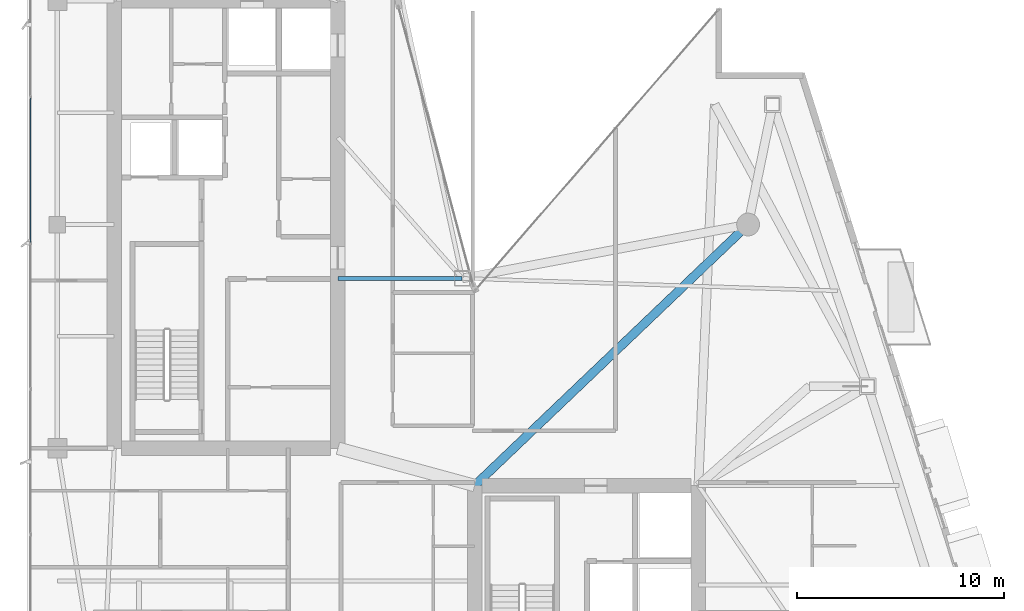
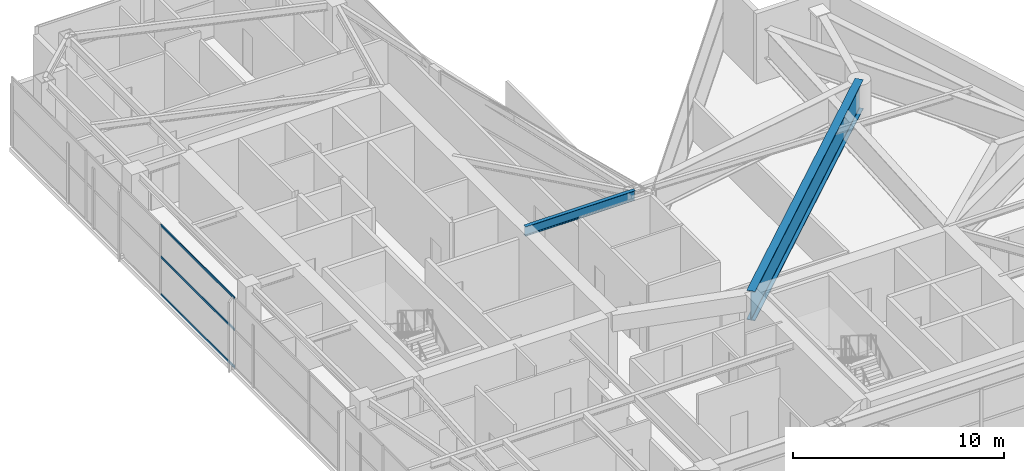
# One storey, part 10 of 29: 3 members, 2 beams, 1 element without a shape of its own.
"""IFC4 building model written with IfcOpenShell, lengths in metres."""

from ifc_helpers import new_model, si_unit, direction, frame, origin, origin_2d, place, context, subcontext, project, spatial, hollow_rectangle, i_section, extrude, material, layer, layer_set, material_profile, profile_set, type_object, element, aggregate, save


model = new_model("IFC4")

# Units and contexts
model_context = context("Model", 3, precision=1e-05, world=origin(), true_north=direction((0.0, 1.0)))
body_context = subcontext(model_context, "Body", "Model", "MODEL_VIEW")
ifc_project = project(units=[si_unit("LENGTHUNIT", "METRE"), si_unit("AREAUNIT", "SQUARE_METRE"), si_unit("VOLUMEUNIT", "CUBIC_METRE"), si_unit("PLANEANGLEUNIT", "RADIAN"), si_unit("MASSUNIT", "GRAM", prefix="KILO")], contexts=[model_context])

# Site, building, storey
site_placement = place(None, origin())
site = spatial("IfcSite", under=ifc_project, at=site_placement, CompositionType="ELEMENT")
building_placement = place(site_placement, origin())
building = spatial("IfcBuilding", under=site, at=building_placement, Name="Calvorn Quay Hotel", CompositionType="ELEMENT")
storey_placement = place(building_placement, frame((0.0, 0.0, 259.0)))
storey = spatial("IfcBuildingStorey", under=building, at=storey_placement, Name="L64", CompositionType="ELEMENT", Elevation=259.0)

# Beams
ifc_material_1 = material(Name="Steel Q355B", Category="steel")
ifc_material_profile_1 = material_profile(ifc_material_1, i_section(OverallWidth=0.199951171875, OverallDepth=0.550048828125, WebThickness=0.010009765625, FlangeThickness=0.01611328125, FilletRadius=0.01806640625, at=origin_2d()), Name="HN550x200x10x16")
ifc_profile_set_1 = profile_set([ifc_material_profile_1], Name="Steel Q355B")
beam_type_1 = type_object("IfcBeamType", Name="BM-GIRD-UPP", PredefinedType="BEAM", material=ifc_profile_set_1)
beam_1_placement = place(storey_placement, frame((21.0, 25.0, 3.77490234375), z_axis=(-1.0, 0.0, 0.0), x_axis=(0.0, -1.0, 0.0)))
element("IfcBeam", 1, at=beam_1_placement, inside=storey, type_object=beam_type_1, Name="Beam BG-L64-W7", PredefinedType="BEAM", context=body_context, shape_type="SweptSolid", body=[
    extrude(i_section(OverallWidth=0.199951171875, OverallDepth=0.550048828125, WebThickness=0.010009765625, FlangeThickness=0.01611328125, FilletRadius=0.01806640625, at=origin_2d()), origin(), (0.0, 0.0, 1.0), 6.0),
])
ifc_material_2 = material(Name="Steel Q420GJC", Category="steel")
ifc_material_profile_2 = material_profile(ifc_material_2, i_section(OverallWidth=0.419921875, OverallDepth=1.699951171875, WebThickness=0.02392578125, FlangeThickness=0.0419921875, FilletRadius=0.02392578125, at=origin_2d()), Name="HN1700x420x24x42")
ifc_profile_set_2 = profile_set([ifc_material_profile_2], Name="Steel Q420GJC")
beam_type_2 = type_object("IfcBeamType", Name="BM-XFER-SAWTOOTH", PredefinedType="BEAM", material=ifc_profile_set_2)
beam_2_placement = place(storey_placement, frame((21.60009765625, 15.0, 3.199951171875), z_axis=(0.723351595578, 0.690479883252, 0.0), x_axis=(-0.690479883252, 0.723351595578, 0.0)))
element("IfcBeam", 2, at=beam_2_placement, inside=storey, type_object=beam_type_2, Name="Beam BG-L64-E4", PredefinedType="BEAM", context=body_context, shape_type="SweptSolid", body=[
    extrude(i_section(OverallWidth=0.419921875, OverallDepth=1.699951171875, WebThickness=0.02392578125, FlangeThickness=0.0419921875, FilletRadius=0.02392578125, at=origin_2d()), origin(), (0.0, 0.0, 1.0), 18.248291015625),
])

# Curtain wall, members
ifc_material_3 = material(Name="Champagne Bronze Anodised Aluminium and Low-E Glass", Category="aluminium")
ifc_layer = layer(ifc_material_3, 0.219970703125)
ifc_layer_set = layer_set([ifc_layer], Name="CW-SYS-Z4")
curtain_wall_type = type_object("IfcCurtainWallType", Name="CW-SYS-Z4", PredefinedType="NOTDEFINED", material=ifc_layer_set)
curtain_wall_placement = place(storey_placement, origin())
curtain_wall = element("IfcCurtainWall", 3, at=curtain_wall_placement, inside=storey, type_object=curtain_wall_type, Name="Tower West Curtain Wall (L64)", PredefinedType="NOTDEFINED")
ifc_material_4 = material(Name="Champagne Bronze Anodised Aluminium 6063-T6", Category="aluminium")
ifc_material_profile_3 = material_profile(ifc_material_4, hollow_rectangle(XDim=0.054931640625, YDim=0.1298828125, WallThickness=0.003173828125, at=origin_2d()), Name="ALU-T130x55x3.2")
ifc_profile_set_3 = profile_set([ifc_material_profile_3], Name="Champagne Bronze Anodised Aluminium 6063-T6")
member_type = type_object("IfcMemberType", Name="CW-SYS-Z4-TRN", PredefinedType="USERDEFINED", material=ifc_profile_set_3)
member_1_placement = place(storey_placement, frame((0.14990234375, 26.72998046875, 0.030029296875), z_axis=(0.0, 1.0, 0.0), x_axis=(-1.0, 0.0, 0.0)))
member_1 = element("IfcMember", 4, at=member_1_placement, type_object=member_type, Name="CW-L64-W transom 4.1", ObjectType="TRANSOM", PredefinedType="USERDEFINED", context=body_context, shape_type="SweptSolid", body=[
    extrude(hollow_rectangle(XDim=0.054931640625, YDim=0.1298828125, WallThickness=0.003173828125, at=origin_2d()), origin(), (0.0, 0.0, 1.0), 6.973388671875),
])
member_2_placement = place(storey_placement, frame((0.14990234375, 26.72998046875, 2.199951171875), z_axis=(0.0, 1.0, 0.0), x_axis=(-1.0, 0.0, 0.0)))
member_2 = element("IfcMember", 5, at=member_2_placement, type_object=member_type, Name="CW-L64-W transom 4.2", ObjectType="TRANSOM", PredefinedType="USERDEFINED", context=body_context, shape_type="SweptSolid", body=[
    extrude(hollow_rectangle(XDim=0.054931640625, YDim=0.1298828125, WallThickness=0.003173828125, at=origin_2d()), origin(), (0.0, 0.0, 1.0), 6.973388671875),
])
member_3_placement = place(storey_placement, frame((0.14990234375, 26.72998046875, 4.02001953125), z_axis=(0.0, 1.0, 0.0), x_axis=(-1.0, 0.0, 0.0)))
member_3 = element("IfcMember", 6, at=member_3_placement, type_object=member_type, Name="CW-L64-W transom 4.3", ObjectType="TRANSOM", PredefinedType="USERDEFINED", context=body_context, shape_type="SweptSolid", body=[
    extrude(hollow_rectangle(XDim=0.054931640625, YDim=0.1298828125, WallThickness=0.003173828125, at=origin_2d()), origin(), (0.0, 0.0, 1.0), 6.973388671875),
])
aggregate(curtain_wall, [member_1, member_2, member_3])

save(model, "model.ifc")
